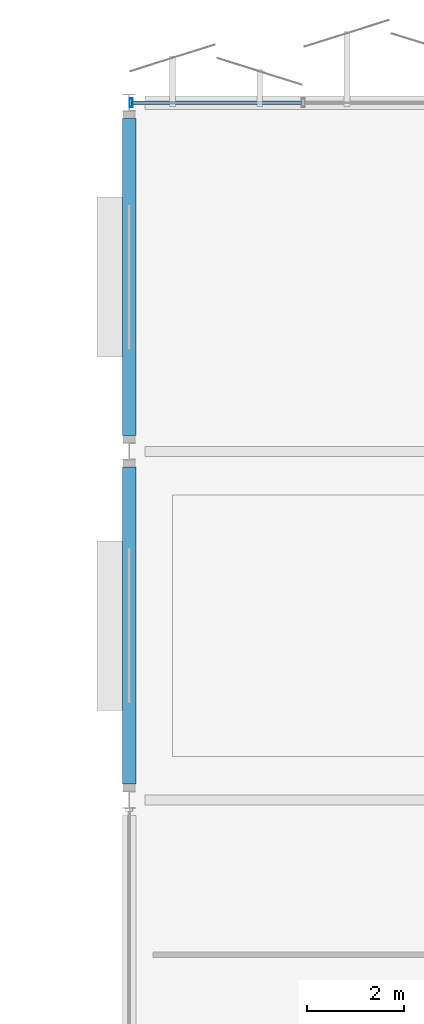
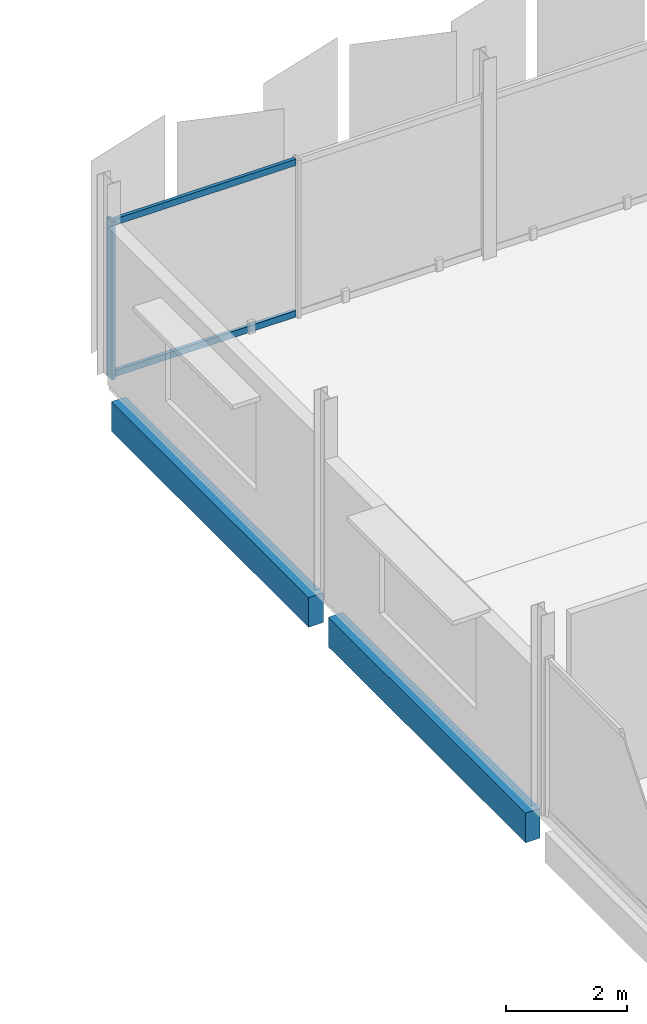
# One storey, part 25 of 91: 3 members, 2 beams, 1 element without a shape of its own.
"""IFC4 building model written with IfcOpenShell, lengths in metres."""

from ifc_helpers import new_model, si_unit, direction, frame, origin, origin_2d, place, context, subcontext, project, spatial, rectangle, hollow_rectangle, extrude, material, layer, layer_set, material_profile, profile_set, type_object, element, aggregate, save


model = new_model("IFC4")

# Units and contexts
model_context = context("Model", 3, precision=1e-05, world=origin(), true_north=direction((0.0, 1.0)))
body_context = subcontext(model_context, "Body", "Model", "MODEL_VIEW")
ifc_project = project(units=[si_unit("LENGTHUNIT", "METRE"), si_unit("AREAUNIT", "SQUARE_METRE"), si_unit("VOLUMEUNIT", "CUBIC_METRE"), si_unit("PLANEANGLEUNIT", "RADIAN"), si_unit("MASSUNIT", "GRAM", prefix="KILO")], contexts=[model_context])

# Site, building, storey
site_placement = place(None, origin())
site = spatial("IfcSite", under=ifc_project, at=site_placement, CompositionType="ELEMENT")
building_placement = place(site_placement, origin())
building = spatial("IfcBuilding", under=site, at=building_placement, Name="Kangsadwip Square Police Headquarters", CompositionType="ELEMENT")
storey_placement = place(building_placement, frame((0.0, 0.0, 13.5)))
storey = spatial("IfcBuildingStorey", under=building, at=storey_placement, Name="L03", CompositionType="ELEMENT", Elevation=13.5)

# Curtain wall, members
ifc_material_1 = material(Name="Thermally broken anodised aluminium AW-6063-T6", Category="aluminium")
ifc_layer = layer(ifc_material_1, 0.159912109375)
ifc_layer_set = layer_set([ifc_layer], Name="Thermally broken anodised aluminium AW-6063-T6")
curtain_wall_type = type_object("IfcCurtainWallType", Name="UnitisedCw7180x3200", PredefinedType="NOTDEFINED", material=ifc_layer_set)
curtain_wall_placement = place(storey_placement, origin())
curtain_wall = element("IfcCurtainWall", 1, at=curtain_wall_placement, inside=storey, type_object=curtain_wall_type, Name="Curtain Wall CW-L03-0936-1152", PredefinedType="NOTDEFINED")
ifc_material_2 = material(Name="Thermally broken anodised aluminium AW-6063-T6", Category="aluminium")
ifc_material_profile_1 = material_profile(ifc_material_2, hollow_rectangle(XDim=0.06494140625, YDim=0.179931640625, WallThickness=0.00390625, at=origin_2d()), Name="CWM 180X65X4")
ifc_profile_set_1 = profile_set([ifc_material_profile_1], Name="Thermally broken anodised aluminium AW-6063-T6")
member_type_1 = type_object("IfcMemberType", Name="CwMullion160x65", PredefinedType="MULLION", material=ifc_profile_set_1)
member_1_placement = place(storey_placement, frame((93.642578125, 115.199951171875, 0.0), z_axis=(0.0, 0.0, 1.0), x_axis=(1.0, 0.0, 0.0)))
member_1 = element("IfcMember", 2, at=member_1_placement, type_object=member_type_1, Name="CW-38 mullion 1", PredefinedType="MULLION", context=body_context, shape_type="SweptSolid", body=[
    extrude(hollow_rectangle(XDim=0.06494140625, YDim=0.179931640625, WallThickness=0.00390625, at=origin_2d()), origin(), (0.0, 0.0, 1.0), 3.199951171875),
])
ifc_material_3 = material(Name="Thermally broken anodised aluminium AW-6063-T6", Category="aluminium")
ifc_material_profile_2 = material_profile(ifc_material_3, hollow_rectangle(XDim=0.06494140625, YDim=0.1298828125, WallThickness=0.00390625, at=origin_2d()), Name="CWT 130X65X4")
ifc_profile_set_2 = profile_set([ifc_material_profile_2], Name="Thermally broken anodised aluminium AW-6063-T6")
member_type_2 = type_object("IfcMemberType", Name="CwTransom140x60", PredefinedType="USERDEFINED", material=ifc_profile_set_2)
member_2_placement = place(storey_placement, frame((93.675048828125, 115.199951171875, 0.06494140625), z_axis=(1.0, 0.0, 0.0), x_axis=(0.0, 1.0, 0.0)))
member_2 = element("IfcMember", 3, at=member_2_placement, type_object=member_type_2, Name="CW-38 transom 1.1", ObjectType="TRANSOM", PredefinedType="USERDEFINED", context=body_context, shape_type="SweptSolid", body=[
    extrude(hollow_rectangle(XDim=0.06494140625, YDim=0.1298828125, WallThickness=0.00390625, at=origin_2d()), origin(), (0.0, 0.0, 1.0), 3.492431640625),
])
member_3_placement = place(storey_placement, frame((93.675048828125, 115.199951171875, 3.135009765625), z_axis=(1.0, 0.0, 0.0), x_axis=(0.0, 1.0, 0.0)))
member_3 = element("IfcMember", 4, at=member_3_placement, type_object=member_type_2, Name="CW-38 transom 1.2", ObjectType="TRANSOM", PredefinedType="USERDEFINED", context=body_context, shape_type="SweptSolid", body=[
    extrude(hollow_rectangle(XDim=0.06494140625, YDim=0.1298828125, WallThickness=0.00390625, at=origin_2d()), origin(), (0.0, 0.0, 1.0), 3.492431640625),
])
aggregate(curtain_wall, [member_1, member_2, member_3])

# Beams
ifc_material_4 = material(Name="Concrete M40 (40 MPa)", Category="concrete")
ifc_material_profile_3 = material_profile(ifc_material_4, rectangle(XDim=0.280029296875, YDim=0.60009765625, at=origin_2d()), Name="RC SPN 600X280")
ifc_profile_set_3 = profile_set([ifc_material_profile_3], Name="Concrete M40 (40 MPa)")
beam_type = type_object("IfcBeamType", Name="RcSpandrel600x280", PredefinedType="SPANDREL", material=ifc_profile_set_3)
for number, where, z_axis, x_axis, name in (
    (5, (93.60009765625, 101.125, -0.5400390625), (0.0, 1.0, 0.0), (-1.0, 0.0, 0.0), "Beam BM-L03-Y-13-14"),
    (6, (93.60009765625, 108.324951171875, -0.5400390625), (0.0, 1.0, 0.0), (-1.0, 0.0, 0.0), "Beam BM-L03-Y-13-15"),
):
    element("IfcBeam", number, at=place(storey_placement, frame(where, z_axis=z_axis, x_axis=x_axis)), inside=storey, type_object=beam_type, Name=name, PredefinedType="SPANDREL", context=body_context, shape_type="SweptSolid", body=[
        extrude(rectangle(XDim=0.280029296875, YDim=0.60009765625, at=origin_2d()), origin(), (0.0, 0.0, 1.0), 6.550048828125),
    ])

save(model, "model.ifc")
